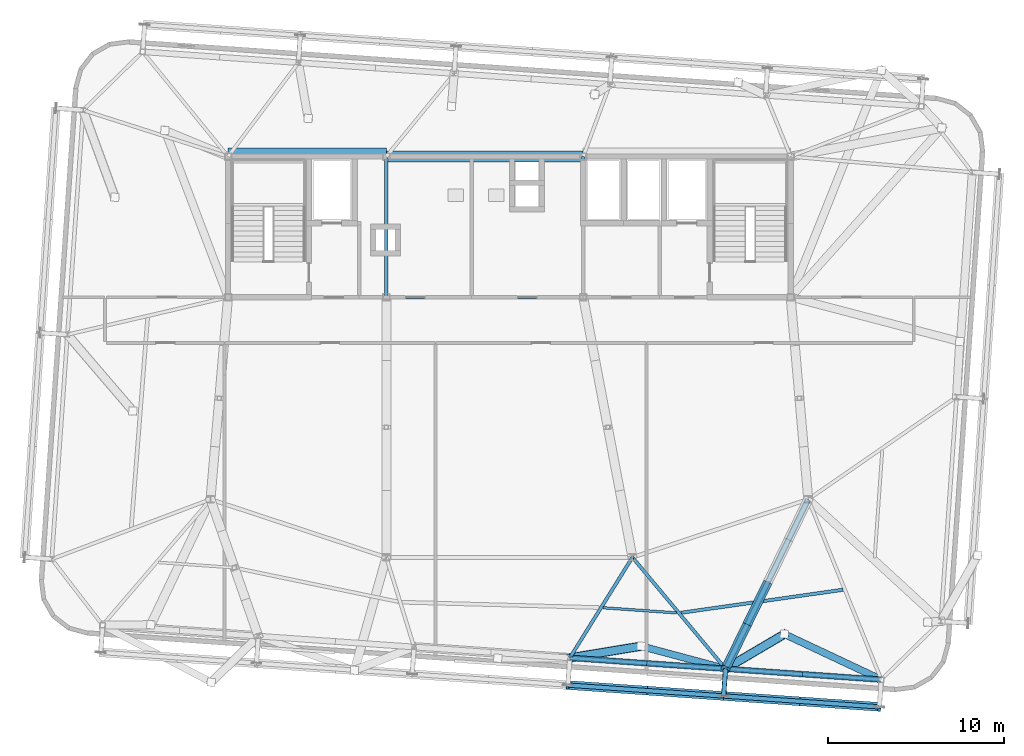
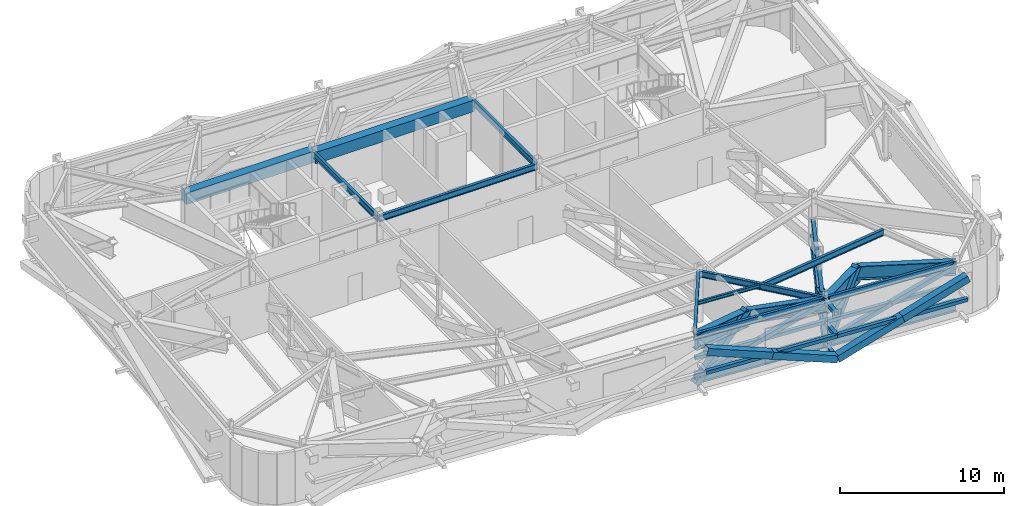
# One storey, part 9 of 24: 23 members, 15 beams.
"""IFC4 building model written with IfcOpenShell, lengths in metres."""

from ifc_helpers import new_model, si_unit, direction, frame, origin, origin_2d, place, context, subcontext, project, spatial, rectangle, hollow_rectangle, i_section, extrude, source, transform, mapped, material, material_profile, profile_set, type_object, element, save


model = new_model("IFC4")

# Units and contexts
model_context = context("Model", 3, precision=1e-05, world=origin(), true_north=direction((0.0, 1.0)))
body_context = subcontext(model_context, "Body", "Model", "MODEL_VIEW")
ifc_project = project(units=[si_unit("LENGTHUNIT", "METRE"), si_unit("AREAUNIT", "SQUARE_METRE"), si_unit("VOLUMEUNIT", "CUBIC_METRE"), si_unit("PLANEANGLEUNIT", "RADIAN"), si_unit("MASSUNIT", "GRAM", prefix="KILO")], contexts=[model_context])

# Site, building, storey
site_placement = place(None, origin())
site = spatial("IfcSite", under=ifc_project, at=site_placement, CompositionType="ELEMENT")
building_placement = place(site_placement, origin())
building = spatial("IfcBuilding", under=site, at=building_placement, Name="Taldren Reach Tower", CompositionType="ELEMENT")
storey_placement = place(building_placement, frame((0.0, 0.0, 164.5)))
storey = spatial("IfcBuildingStorey", under=building, at=storey_placement, Name="L50", CompositionType="ELEMENT", Elevation=164.5)

# Beams
ifc_material_1 = material(Name="Steel Gr 350 (350PLUS)", Category="steel")
ifc_material_profile_1 = material_profile(ifc_material_1, i_section(OverallWidth=0.19091796875, OverallDepth=0.4599609375, WebThickness=0.010009765625, FlangeThickness=0.01611328125, at=origin_2d()), Name="460UB82.1")
ifc_profile_set_1 = profile_set([ifc_material_profile_1], Name="Steel Gr 350 (350PLUS)")
beam_type_1 = type_object("IfcBeamType", Name="BM-UB460A", PredefinedType="BEAM", material=ifc_profile_set_1)
shared_shape_1 = source(origin(), body_context, "Body", "SweptSolid", [
    extrude(i_section(OverallWidth=0.19091796875, OverallDepth=0.4599609375, WebThickness=0.010009765625, FlangeThickness=0.01611328125, at=origin_2d()), origin(), (0.0, 0.0, 1.0), 11.199951171875),
])
beam_1_placement = place(storey_placement, frame((28.0, 24.0, 3.550048828125), z_axis=(1.0, 0.0, 0.0), x_axis=(0.0, 1.0, 0.0)))
element("IfcBeam", 1, at=beam_1_placement, inside=storey, type_object=beam_type_1, Name="Core-spine girder L50-SP02", PredefinedType="BEAM", context=body_context, shape_type="MappedRepresentation", body=[
    mapped(shared_shape_1, transform((0.0, 0.0, 0.0), scale=1.0)),
])
ifc_material_2 = material(Name="Concrete S80 (80 MPa)", Category="concrete")
ifc_material_profile_2 = material_profile(ifc_material_2, rectangle(XDim=0.60009765625, YDim=0.85009765625, at=origin_2d()), Name="RC-CB600x850")
ifc_profile_set_2 = profile_set([ifc_material_profile_2], Name="Concrete S80 (80 MPa)")
beam_type_2 = type_object("IfcBeamType", Name="BM-RCCB850", PredefinedType="BEAM", material=ifc_profile_set_2)
shared_shape_2 = source(origin(), body_context, "Body", "SweptSolid", [
    extrude(rectangle(XDim=0.60009765625, YDim=0.85009765625, at=origin_2d()), origin(), (0.0, 0.0, 1.0), 9.0),
])
beam_2_placement = place(storey_placement, frame((19.0, 32.179931640625, 3.35498046875), z_axis=(1.0, 0.0, 0.0), x_axis=(0.0, 1.0, 0.0)))
element("IfcBeam", 2, at=beam_2_placement, inside=storey, type_object=beam_type_2, Name="Core-spine girder L50-SP04", PredefinedType="BEAM", context=body_context, shape_type="MappedRepresentation", body=[
    mapped(shared_shape_2, transform((0.0, 0.0, 0.0), scale=1.0)),
])
shared_shape_3 = source(origin(), body_context, "Body", "SweptSolid", [
    extrude(rectangle(XDim=0.60009765625, YDim=0.85009765625, at=origin_2d()), origin(), (0.0, 0.0, 1.0), 11.199951171875),
])
beam_3_placement = place(storey_placement, frame((28.0, 32.0, 3.35498046875), z_axis=(1.0, 0.0, 0.0), x_axis=(0.0, 1.0, 0.0)))
element("IfcBeam", 3, at=beam_3_placement, inside=storey, type_object=beam_type_2, Name="Core-spine girder L50-SP05", PredefinedType="BEAM", context=body_context, shape_type="MappedRepresentation", body=[
    mapped(shared_shape_3, transform((0.0, 0.0, 0.0), scale=1.0)),
])
shared_shape_4 = source(origin(), body_context, "Body", "SweptSolid", [
    extrude(i_section(OverallWidth=0.19091796875, OverallDepth=0.4599609375, WebThickness=0.010009765625, FlangeThickness=0.01611328125, at=origin_2d()), origin(), (0.0, 0.0, 1.0), 8.0),
])
for number, where, z_axis, x_axis, name in (
    (4, (28.0, 24.0, 3.550048828125), (0.0, 1.0, 0.0), (-1.0, 0.0, 0.0), "Core-spine girder L50-SP07"),
    (5, (39.199951171875, 24.0, 3.550048828125), (0.0, 1.0, 0.0), (-1.0, 0.0, 0.0), "Core-spine girder L50-SP08"),
):
    element("IfcBeam", number, at=place(storey_placement, frame(where, z_axis=z_axis, x_axis=x_axis)), inside=storey, type_object=beam_type_1, Name=name, PredefinedType="BEAM", context=body_context, shape_type="MappedRepresentation", body=[
        mapped(shared_shape_4, transform((0.0, 0.0, 0.0), scale=1.0)),
    ])

# Members
ifc_material_3 = material(Name="Steel Gr 450 (C450L0)", Category="steel")
ifc_material_profile_3 = material_profile(ifc_material_3, hollow_rectangle(XDim=0.27490234375, YDim=0.27490234375, WallThickness=0.00927734375, at=origin_2d()), Name="275x275x9.3SHS")
ifc_profile_set_3 = profile_set([ifc_material_profile_3], Name="Steel Gr 450 (C450L0)")
member_type_1 = type_object("IfcMemberType", Name="MB-TIE273", PredefinedType="STRUT", material=ifc_profile_set_3)
shared_shape_5 = source(origin(), body_context, "Body", "SweptSolid", [
    extrude(hollow_rectangle(XDim=0.27490234375, YDim=0.27490234375, WallThickness=0.00927734375, at=origin_2d()), origin(), (0.0, 0.0, 1.0), 1.5498046875),
])
member_1_placement = place(storey_placement, frame((47.297119140625, 2.860595703125, 3.5), z_axis=(-0.069780535098, -0.997562367434, 0.0), x_axis=(0.997562367434, -0.069780535098, 0.0)))
element("IfcMember", 6, at=member_1_placement, inside=storey, type_object=member_type_1, Name="Exoskeleton diaphragm tie strut B3-S5 L50", PredefinedType="STRUT", context=body_context, shape_type="MappedRepresentation", body=[
    mapped(shared_shape_5, transform((0.0, 0.0, 0.0), scale=1.0)),
])
ifc_material_4 = material(Name="Steel Gr 350 (C350L0)", Category="steel")
ifc_material_profile_4 = material_profile(ifc_material_4, hollow_rectangle(XDim=0.25, YDim=0.25, WallThickness=0.010009765625, at=origin_2d()), Name="250x250x10.0SHS")
ifc_profile_set_4 = profile_set([ifc_material_profile_4], Name="Steel Gr 350 (C350L0)")
member_type_2 = type_object("IfcMemberType", Name="MB-POST250", PredefinedType="POST", material=ifc_profile_set_4)
shared_shape_6 = source(origin(), body_context, "Body", "SweptSolid", [
    extrude(hollow_rectangle(XDim=0.25, YDim=0.25, WallThickness=0.010009765625, at=origin_2d()), origin(), (0.0, 0.0, 1.0), 1.5498046875),
])
for number, where, z_axis, x_axis, name in (
    (7, (47.297119140625, 2.860595703125, 0.219970703125), (-0.069780535098, -0.997562367434, 0.0), (0.997562367434, -0.069780535098, 0.0), "Exoskeleton base diaphragm tie strut B3-S5 L50"),
    (8, (47.297119140625, 2.860595703125, 1.860107421875), (-0.069780535098, -0.997562367434, 0.0), (0.997562367434, -0.069780535098, 0.0), "Exoskeleton mid-tier diaphragm tie B3-S5 L50"),
):
    element("IfcMember", number, at=place(storey_placement, frame(where, z_axis=z_axis, x_axis=x_axis)), inside=storey, type_object=member_type_2, Name=name, PredefinedType="POST", context=body_context, shape_type="MappedRepresentation", body=[
        mapped(shared_shape_6, transform((0.0, 0.0, 0.0), scale=1.0)),
    ])

# Beams
ifc_material_profile_5 = material_profile(ifc_material_1, i_section(OverallWidth=0.18994140625, OverallDepth=0.4541015625, WebThickness=0.008544921875, FlangeThickness=0.0126953125, at=origin_2d()), Name="460UB67.1")
ifc_profile_set_5 = profile_set([ifc_material_profile_5], Name="Steel Gr 350 (350PLUS)")
beam_type_3 = type_object("IfcBeamType", Name="SP-UB460B", PredefinedType="SPANDREL", material=ifc_profile_set_5)
shared_shape_7 = source(origin(), body_context, "Body", "SweptSolid", [
    extrude(i_section(OverallWidth=0.18994140625, OverallDepth=0.4541015625, WebThickness=0.008544921875, FlangeThickness=0.0126953125, at=origin_2d()), origin(), (0.0, 0.0, 1.0), 8.880126953125),
])
for number, where, z_axis, x_axis, name in (
    (9, (38.438720703125, 3.480224609375, 3.552978515625), (0.997562566276, -0.06977769246, 0.0), (0.06977769246, 0.997562566276, 0.0), "Perimeter spandrel B3 S4-S5 L50"),
    (10, (47.297119140625, 2.860595703125, 3.552978515625), (0.997564479639, -0.069750333063, 0.0), (0.069750333063, 0.997564479639, 0.0), "Perimeter spandrel B3 S5-S6 L50"),
):
    element("IfcBeam", number, at=place(storey_placement, frame(where, z_axis=z_axis, x_axis=x_axis)), inside=storey, type_object=beam_type_3, Name=name, PredefinedType="SPANDREL", context=body_context, shape_type="MappedRepresentation", body=[
        mapped(shared_shape_7, transform((0.0, 0.0, 0.0), scale=1.0)),
    ])
shared_shape_8 = source(origin(), body_context, "Body", "SweptSolid", [
    extrude(i_section(OverallWidth=0.19091796875, OverallDepth=0.4599609375, WebThickness=0.010009765625, FlangeThickness=0.01611328125, at=origin_2d()), origin(), (0.0, 0.0, 1.0), 6.73779296875),
])
beam_4_placement = place(storey_placement, frame((42.0, 9.199951171875, 3.550048828125), z_axis=(-0.528552048024, -0.848900896765, 0.0), x_axis=(0.848900896765, -0.528552048024, 0.0)))
element("IfcBeam", 11, at=beam_4_placement, inside=storey, type_object=beam_type_1, Name="Primary floor girder B3-S4 L50", PredefinedType="BEAM", context=body_context, shape_type="MappedRepresentation", body=[
    mapped(shared_shape_8, transform((0.0, 0.0, 0.0), scale=1.0)),
])
shared_shape_9 = source(origin(), body_context, "Body", "SweptSolid", [
    extrude(i_section(OverallWidth=0.19091796875, OverallDepth=0.4599609375, WebThickness=0.010009765625, FlangeThickness=0.01611328125, at=origin_2d()), origin(), (0.0, 0.0, 1.0), 8.26123046875),
])
beam_5_placement = place(storey_placement, frame((42.0, 9.199951171875, 3.550048828125), z_axis=(0.64120703686, -0.767367927322, 0.0), x_axis=(0.767367927322, 0.64120703686, 0.0)))
element("IfcBeam", 12, at=beam_5_placement, inside=storey, type_object=beam_type_1, Name="Primary floor girder B3-S5 L50", PredefinedType="BEAM", context=body_context, shape_type="MappedRepresentation", body=[
    mapped(shared_shape_9, transform((0.0, 0.0, 0.0), scale=1.0)),
])
ifc_material_5 = material(Name="Steel Gr 300 (300PLUS, 300 MPa)", Category="steel")
ifc_material_profile_6 = material_profile(ifc_material_5, i_section(OverallWidth=0.14599609375, OverallDepth=0.256103515625, WebThickness=0.00634765625, FlangeThickness=0.010986328125, at=origin_2d()), Name="250UB37.3")
ifc_profile_set_6 = profile_set([ifc_material_profile_6], Name="Steel Gr 300 (300PLUS, 300 MPa)")
beam_type_4 = type_object("IfcBeamType", Name="JS-UB250", PredefinedType="JOIST", material=ifc_profile_set_6)
shared_shape_10 = source(origin(), body_context, "Body", "SweptSolid", [
    extrude(i_section(OverallWidth=0.14599609375, OverallDepth=0.256103515625, WebThickness=0.00634765625, FlangeThickness=0.010986328125, at=origin_2d()), origin(), (0.0, 0.0, 1.0), 4.199462890625),
])
beam_6_placement = place(storey_placement, frame((40.3271484375, 6.33251953125, 3.652099609375), z_axis=(0.99756354117, -0.069763753681, 0.0), x_axis=(0.069763753681, 0.99756354117, 0.0)))
element("IfcBeam", 13, at=beam_6_placement, inside=storey, type_object=beam_type_4, Name="Secondary floor joist B3 J4 L50", PredefinedType="JOIST", context=body_context, shape_type="MappedRepresentation", body=[
    mapped(shared_shape_10, transform((0.0, 0.0, 0.0), scale=1.0)),
])
shared_shape_11 = source(origin(), body_context, "Body", "SweptSolid", [
    extrude(i_section(OverallWidth=0.19091796875, OverallDepth=0.4599609375, WebThickness=0.010009765625, FlangeThickness=0.01611328125, at=origin_2d()), origin(), (0.0, 0.0, 1.0), 9.313232421875),
])
beam_7_placement = place(storey_placement, frame((44.759765625, 6.046142578125, 3.550048828125), z_axis=(0.990049385514, 0.140720340547, 0.0), x_axis=(-0.140720340547, 0.990049385514, 0.0)))
element("IfcBeam", 14, at=beam_7_placement, inside=storey, type_object=beam_type_1, Name="Secondary floor beam B3 J5 L50", PredefinedType="BEAM", context=body_context, shape_type="MappedRepresentation", body=[
    mapped(shared_shape_11, transform((0.0, 0.0, 0.0), scale=1.0)),
])

# Members
shared_shape_12 = source(origin(), body_context, "Body", "SweptSolid", [
    extrude(hollow_rectangle(XDim=0.25, YDim=0.25, WallThickness=0.010009765625, at=origin_2d()), origin(), (0.0, 0.0, 1.0), 8.880126953125),
])
for number, where, z_axis, x_axis, name in (
    (15, (38.438720703125, 3.480224609375, 1.955078125), (0.997562566276, -0.06977769246, 0.0), (0.06977769246, 0.997562566276, 0.0), "Belt Truss Transfer Mid Chord S4 L50"),
    (16, (47.297119140625, 2.860595703125, 1.955078125), (0.997564479639, -0.069750333063, 0.0), (0.069750333063, 0.997564479639, 0.0), "Belt Truss Transfer Mid Chord S5 L50"),
    (17, (38.33056640625, 1.933837890625, 1.860107421875), (0.997564479639, -0.069750333063, 0.0), (0.069750333063, 0.997564479639, 0.0), "Exoskeleton mid-height ring chord B3-S4 L50"),
    (18, (47.18896484375, 1.314453125, 1.860107421875), (0.997564479639, -0.069750333063, 0.0), (0.069750333063, 0.997564479639, 0.0), "Exoskeleton mid-height ring chord B3-S5 L50"),
):
    element("IfcMember", number, at=place(storey_placement, frame(where, z_axis=z_axis, x_axis=x_axis)), inside=storey, type_object=member_type_2, Name=name, PredefinedType="POST", context=body_context, shape_type="MappedRepresentation", body=[
        mapped(shared_shape_12, transform((0.0, 0.0, 0.0), scale=1.0)),
    ])
ifc_material_profile_7 = material_profile(ifc_material_3, hollow_rectangle(XDim=0.4599609375, YDim=0.4599609375, WallThickness=0.01611328125, at=origin_2d()), Name="460x460x16.0SHS")
ifc_profile_set_7 = profile_set([ifc_material_profile_7], Name="Steel Gr 450 (C450L0)")
member_type_3 = type_object("IfcMemberType", Name="MB-EXO457", PredefinedType="BRACE", material=ifc_profile_set_7)
shared_shape_13 = source(origin(), body_context, "Body", "SweptSolid", [
    extrude(hollow_rectangle(XDim=0.4599609375, YDim=0.4599609375, WallThickness=0.01611328125, at=origin_2d()), origin(), (0.0, 0.0, 1.0), 5.570068359375),
])
member_2_placement = place(storey_placement, frame((38.438720703125, 3.480224609375, 0.02001953125), z_axis=(0.727989648193, 0.11979021666, 0.675041758795), x_axis=(-0.162365873544, 0.986730623376, 0.0)))
element("IfcMember", 19, at=member_2_placement, inside=storey, type_object=member_type_3, Name="Outrigger Belt Truss Transfer Strut TS-B4-S4 L50", PredefinedType="BRACE", context=body_context, shape_type="MappedRepresentation", body=[
    mapped(shared_shape_13, transform((0.0, 0.0, 0.0), scale=1.0)),
])

# Beams
ifc_material_profile_8 = material_profile(ifc_material_1, i_section(OverallWidth=0.5, OverallDepth=1.199951171875, WebThickness=0.01611328125, FlangeThickness=0.0400390625, at=origin_2d()), Name="1200WB455")
ifc_profile_set_8 = profile_set([ifc_material_profile_8], Name="Steel Gr 350 (350PLUS)")
beam_type_5 = type_object("IfcBeamType", Name="BM-WB1200", PredefinedType="BEAM", material=ifc_profile_set_8)
shared_shape_14 = source(origin(), body_context, "Body", "SweptSolid", [
    extrude(i_section(OverallWidth=0.5, OverallDepth=1.199951171875, WebThickness=0.01611328125, FlangeThickness=0.0400390625, at=origin_2d()), origin(), (0.0, 0.0, 1.0), 4.109375),
])
beam_8_placement = place(storey_placement, frame((38.438720703125, 3.480224609375, 3.179931640625), z_axis=(0.986730623376, 0.162365873544, 0.0), x_axis=(-0.162365873544, 0.986730623376, 0.0)))
element("IfcBeam", 20, at=beam_8_placement, inside=storey, type_object=beam_type_5, Name="Belt Truss Transfer Girder TG-B4-S4A on L50", PredefinedType="BEAM", context=body_context, shape_type="MappedRepresentation", body=[
    mapped(shared_shape_14, transform((0.0, 0.0, 0.0), scale=1.0)),
])
ifc_material_profile_9 = material_profile(ifc_material_1, i_section(OverallWidth=0.39990234375, OverallDepth=1.02392578125, WebThickness=0.01611328125, FlangeThickness=0.031982421875, at=origin_2d()), Name="1000WB322")
ifc_profile_set_9 = profile_set([ifc_material_profile_9], Name="Steel Gr 350 (350PLUS)")
beam_type_6 = type_object("IfcBeamType", Name="BM-WB1000", PredefinedType="BEAM", material=ifc_profile_set_9)
shared_shape_15 = source(origin(), body_context, "Body", "SweptSolid", [
    extrude(i_section(OverallWidth=0.39990234375, OverallDepth=1.02392578125, WebThickness=0.01611328125, FlangeThickness=0.031982421875, at=origin_2d()), origin(), (0.0, 0.0, 1.0), 4.972900390625),
])
beam_9_placement = place(storey_placement, frame((47.297119140625, 2.860595703125, 3.26806640625), z_axis=(-0.965936876133, 0.258777803004, 0.0), x_axis=(-0.258777803004, -0.965936876133, 0.0)))
element("IfcBeam", 21, at=beam_9_placement, inside=storey, type_object=beam_type_6, Name="Belt Truss Transfer Tie Girder TG-B4-S4B on L50", PredefinedType="BEAM", context=body_context, shape_type="MappedRepresentation", body=[
    mapped(shared_shape_15, transform((0.0, 0.0, 0.0), scale=1.0)),
])

# Member
shared_shape_16 = source(origin(), body_context, "Body", "SweptSolid", [
    extrude(hollow_rectangle(XDim=0.4599609375, YDim=0.4599609375, WallThickness=0.01611328125, at=origin_2d()), origin(), (0.0, 0.0, 1.0), 5.406494140625),
])
member_3_placement = place(storey_placement, frame((47.297119140625, 2.860595703125, 0.02001953125), z_axis=(0.619182635161, 0.364636798346, 0.695451558059), x_axis=(-0.507445739687, 0.861683713014, 0.0)))
element("IfcMember", 22, at=member_3_placement, inside=storey, type_object=member_type_3, Name="Outrigger Belt Truss Transfer Strut TS-B4-S5 L50", PredefinedType="BRACE", context=body_context, shape_type="MappedRepresentation", body=[
    mapped(shared_shape_16, transform((0.0, 0.0, 0.0), scale=1.0)),
])

# Beams
shared_shape_17 = source(origin(), body_context, "Body", "SweptSolid", [
    extrude(i_section(OverallWidth=0.5, OverallDepth=1.199951171875, WebThickness=0.01611328125, FlangeThickness=0.0400390625, at=origin_2d()), origin(), (0.0, 0.0, 1.0), 3.885009765625),
])
beam_10_placement = place(storey_placement, frame((47.297119140625, 2.860595703125, 3.179931640625), z_axis=(0.861683713014, 0.507445739687, 0.0), x_axis=(-0.507445739687, 0.861683713014, 0.0)))
element("IfcBeam", 23, at=beam_10_placement, inside=storey, type_object=beam_type_5, Name="Belt Truss Transfer Girder TG-B4-S5A on L50", PredefinedType="BEAM", context=body_context, shape_type="MappedRepresentation", body=[
    mapped(shared_shape_17, transform((0.0, 0.0, 0.0), scale=1.0)),
])
shared_shape_18 = source(origin(), body_context, "Body", "SweptSolid", [
    extrude(i_section(OverallWidth=0.39990234375, OverallDepth=1.02392578125, WebThickness=0.01611328125, FlangeThickness=0.031982421875, at=origin_2d()), origin(), (0.0, 0.0, 1.0), 6.08935546875),
])
beam_11_placement = place(storey_placement, frame((56.155517578125, 2.2412109375, 3.26806640625), z_axis=(-0.904974923712, 0.425464907427, 0.0), x_axis=(-0.425464907427, -0.904974923712, 0.0)))
element("IfcBeam", 24, at=beam_11_placement, inside=storey, type_object=beam_type_6, Name="Belt Truss Transfer Tie Girder TG-B4-S5B on L50", PredefinedType="BEAM", context=body_context, shape_type="MappedRepresentation", body=[
    mapped(shared_shape_18, transform((0.0, 0.0, 0.0), scale=1.0)),
])

# Members
ifc_material_profile_10 = material_profile(ifc_material_1, i_section(OverallWidth=0.35009765625, OverallDepth=0.916015625, WebThickness=0.013916015625, FlangeThickness=0.028076171875, at=origin_2d()), Name="900WB257")
ifc_profile_set_10 = profile_set([ifc_material_profile_10], Name="Steel Gr 350 (350PLUS)")
member_type_4 = type_object("IfcMemberType", Name="MB-CH900", PredefinedType="CHORD", material=ifc_profile_set_10)
shared_shape_19 = source(origin(), body_context, "Body", "SweptSolid", [
    extrude(i_section(OverallWidth=0.35009765625, OverallDepth=0.916015625, WebThickness=0.013916015625, FlangeThickness=0.028076171875, at=origin_2d()), origin(), (0.0, 0.0, 1.0), 10.725341796875),
])
member_4_placement = place(storey_placement, frame((52.0, 12.5, 0.449951171875), z_axis=(-0.438478793393, -0.898741535562, 0.0), x_axis=(0.898741535562, -0.438478793393, 0.0)))
element("IfcMember", 25, at=member_4_placement, inside=storey, type_object=member_type_4, Name="Outrigger Transfer Truss Bottom Chord OT-E2 L50", PredefinedType="CHORD", context=body_context, shape_type="MappedRepresentation", body=[
    mapped(shared_shape_19, transform((0.0, 0.0, 0.0), scale=1.0)),
])
shared_shape_20 = source(origin(), body_context, "Body", "SweptSolid", [
    extrude(hollow_rectangle(XDim=0.25, YDim=0.25, WallThickness=0.010009765625, at=origin_2d()), origin(), (0.0, 0.0, 1.0), 10.725341796875),
])
member_5_placement = place(storey_placement, frame((52.0, 12.5, 1.955078125), z_axis=(-0.438478793393, -0.898741535562, 0.0), x_axis=(0.898741535562, -0.438478793393, 0.0)))
element("IfcMember", 26, at=member_5_placement, inside=storey, type_object=member_type_2, Name="Outrigger Transfer Truss Mid Chord OT-E2 L50", PredefinedType="POST", context=body_context, shape_type="MappedRepresentation", body=[
    mapped(shared_shape_20, transform((0.0, 0.0, 0.0), scale=1.0)),
])
ifc_material_profile_11 = material_profile(ifc_material_3, hollow_rectangle(XDim=0.510009765625, YDim=0.510009765625, WallThickness=0.02001953125, at=origin_2d()), Name="510x510x20.0SHS")
ifc_profile_set_11 = profile_set([ifc_material_profile_11], Name="Steel Gr 450 (C450L0)")
member_type_5 = type_object("IfcMemberType", Name="MB-EXO508", PredefinedType="BRACE", material=ifc_profile_set_11)
shared_shape_21 = source(origin(), body_context, "Body", "SweptSolid", [
    extrude(hollow_rectangle(XDim=0.510009765625, YDim=0.510009765625, WallThickness=0.02001953125, at=origin_2d()), origin(), (0.0, 0.0, 1.0), 3.074951171875),
])
member_6_placement = place(storey_placement, frame((49.6484375, 7.680419921875, 0.449951171875), z_axis=(-0.382369502344, -0.783714567616, 0.489474248744), x_axis=(0.898736941779, -0.438488209057, 0.0)))
element("IfcMember", 27, at=member_6_placement, inside=storey, type_object=member_type_5, Name="Outrigger Transfer Truss Diagonal OT-E2B L50", PredefinedType="BRACE", context=body_context, shape_type="MappedRepresentation", body=[
    mapped(shared_shape_21, transform((0.0, 0.0, 0.0), scale=1.0)),
])
shared_shape_22 = source(origin(), body_context, "Body", "SweptSolid", [
    extrude(hollow_rectangle(XDim=0.510009765625, YDim=0.510009765625, WallThickness=0.02001953125, at=origin_2d()), origin(), (0.0, 0.0, 1.0), 3.07470703125),
])
member_7_placement = place(storey_placement, frame((48.47265625, 5.2705078125, 1.955078125), z_axis=(-0.382316569376, -0.783768817509, 0.489428729726), x_axis=(0.898772820988, -0.438414662452, 0.0)))
element("IfcMember", 28, at=member_7_placement, inside=storey, type_object=member_type_5, Name="Outrigger Transfer Truss Diagonal OT-E2B L50", PredefinedType="BRACE", context=body_context, shape_type="MappedRepresentation", body=[
    mapped(shared_shape_22, transform((0.0, 0.0, 0.0), scale=1.0)),
])
ifc_material_profile_12 = material_profile(ifc_material_1, i_section(OverallWidth=0.300048828125, OverallDepth=0.81591796875, WebThickness=0.011962890625, FlangeThickness=0.02392578125, at=origin_2d()), Name="800WB192")
ifc_profile_set_12 = profile_set([ifc_material_profile_12], Name="Steel Gr 350 (350PLUS)")
member_type_6 = type_object("IfcMemberType", Name="MB-CH800", PredefinedType="CHORD", material=ifc_profile_set_12)
shared_shape_23 = source(origin(), body_context, "Body", "SweptSolid", [
    extrude(i_section(OverallWidth=0.300048828125, OverallDepth=0.81591796875, WebThickness=0.011962890625, FlangeThickness=0.02392578125, at=origin_2d()), origin(), (0.0, 0.0, 1.0), 8.880126953125),
])
for number, where, z_axis, x_axis, name in (
    (29, (38.438720703125, 3.480224609375, 0.449951171875), (0.997562566276, -0.06977769246, 0.0), (0.06977769246, 0.997562566276, 0.0), "Belt Truss Transfer Bottom Chord S4 L50"),
    (30, (47.297119140625, 2.860595703125, 0.449951171875), (0.997564479639, -0.069750333063, 0.0), (0.069750333063, 0.997564479639, 0.0), "Belt Truss Transfer Bottom Chord S5 L50"),
):
    element("IfcMember", number, at=place(storey_placement, frame(where, z_axis=z_axis, x_axis=x_axis)), inside=storey, type_object=member_type_6, Name=name, PredefinedType="CHORD", context=body_context, shape_type="MappedRepresentation", body=[
        mapped(shared_shape_23, transform((0.0, 0.0, 0.0), scale=1.0)),
    ])
ifc_material_profile_13 = material_profile(ifc_material_3, hollow_rectangle(XDim=0.324951171875, YDim=0.324951171875, WallThickness=0.0126953125, at=origin_2d()), Name="325x325x12.7SHS")
ifc_profile_set_13 = profile_set([ifc_material_profile_13], Name="Steel Gr 450 (C450L0)")
member_type_7 = type_object("IfcMemberType", Name="MB-BR324", PredefinedType="BRACE", material=ifc_profile_set_13)
shared_shape_24 = source(origin(), body_context, "Body", "SweptSolid", [
    extrude(hollow_rectangle(XDim=0.324951171875, YDim=0.324951171875, WallThickness=0.0126953125, at=origin_2d()), origin(), (0.0, 0.0, 1.0), 4.688232421875),
])
for number, where, z_axis, x_axis, name in (
    (31, (38.438720703125, 3.480224609375, 0.449951171875), (0.944755209462, -0.066083913615, 0.321045963308), (0.06977769246, 0.997562566276, 0.0), "Belt Truss Transfer Diagonal S4 L50"),
    (32, (42.867919921875, 3.17041015625, 1.955078125), (0.944771003614, -0.066085018387, 0.320999254011), (0.06977769246, 0.997562566276, 0.0), "Belt Truss Transfer Diagonal S4 L50"),
    (33, (47.297119140625, 2.860595703125, 0.449951171875), (0.944758459439, -0.066032065184, 0.321047067712), (0.069722973508, 0.997566392259, 0.0), "Belt Truss Transfer Diagonal S5 L50"),
    (34, (51.726318359375, 2.551025390625, 1.955078125), (0.944771003614, -0.066085018387, 0.320999254011), (0.06977769246, 0.997562566276, 0.0), "Belt Truss Transfer Diagonal S5 L50"),
):
    element("IfcMember", number, at=place(storey_placement, frame(where, z_axis=z_axis, x_axis=x_axis)), inside=storey, type_object=member_type_7, Name=name, PredefinedType="BRACE", context=body_context, shape_type="MappedRepresentation", body=[
        mapped(shared_shape_24, transform((0.0, 0.0, 0.0), scale=1.0)),
    ])
shared_shape_25 = source(origin(), body_context, "Body", "SweptSolid", [
    extrude(hollow_rectangle(XDim=0.510009765625, YDim=0.510009765625, WallThickness=0.02001953125, at=origin_2d()), origin(), (0.0, 0.0, 1.0), 4.733154296875),
])
for number, where, z_axis, x_axis, name in (
    (35, (47.18896484375, 1.314453125, 0.219970703125), (-0.935758954034, 0.065454641862, 0.346512438166), (-0.06977769246, -0.997562566276, 0.0), "Exoskeleton Diagrid Brace B3-S4 L50"),
    (36, (42.759765625, 1.624267578125, 1.860107421875), (-0.935778836251, 0.06540445179, 0.346468219772), (-0.069722973508, -0.997566392259, 0.0), "Exoskeleton Diagrid Brace B3-S4 L50"),
    (37, (47.18896484375, 1.314453125, 0.219970703125), (0.935758954034, -0.065454641862, 0.346512438166), (0.06977769246, 0.997562566276, 0.0), "Exoskeleton Diagrid Brace B3-S5 L50"),
    (38, (51.6181640625, 1.004638671875, 1.860107421875), (0.935778836251, -0.06540445179, 0.346468219772), (0.069722973508, 0.997566392259, 0.0), "Exoskeleton Diagrid Brace B3-S5 L50"),
):
    element("IfcMember", number, at=place(storey_placement, frame(where, z_axis=z_axis, x_axis=x_axis)), inside=storey, type_object=member_type_5, Name=name, PredefinedType="BRACE", context=body_context, shape_type="MappedRepresentation", body=[
        mapped(shared_shape_25, transform((0.0, 0.0, 0.0), scale=1.0)),
    ])

save(model, "model.ifc")
